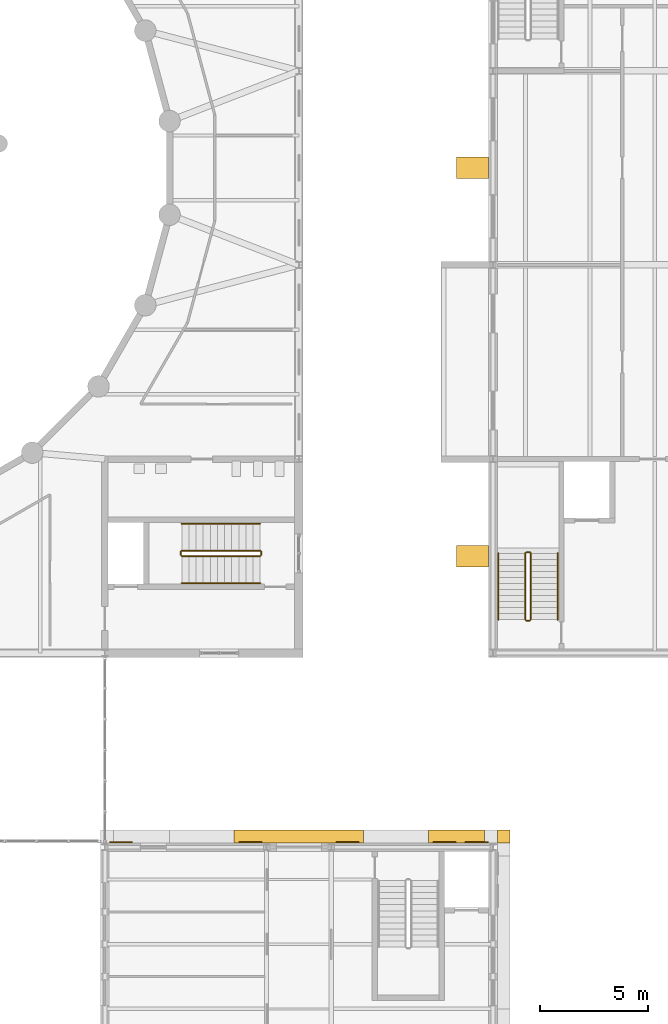
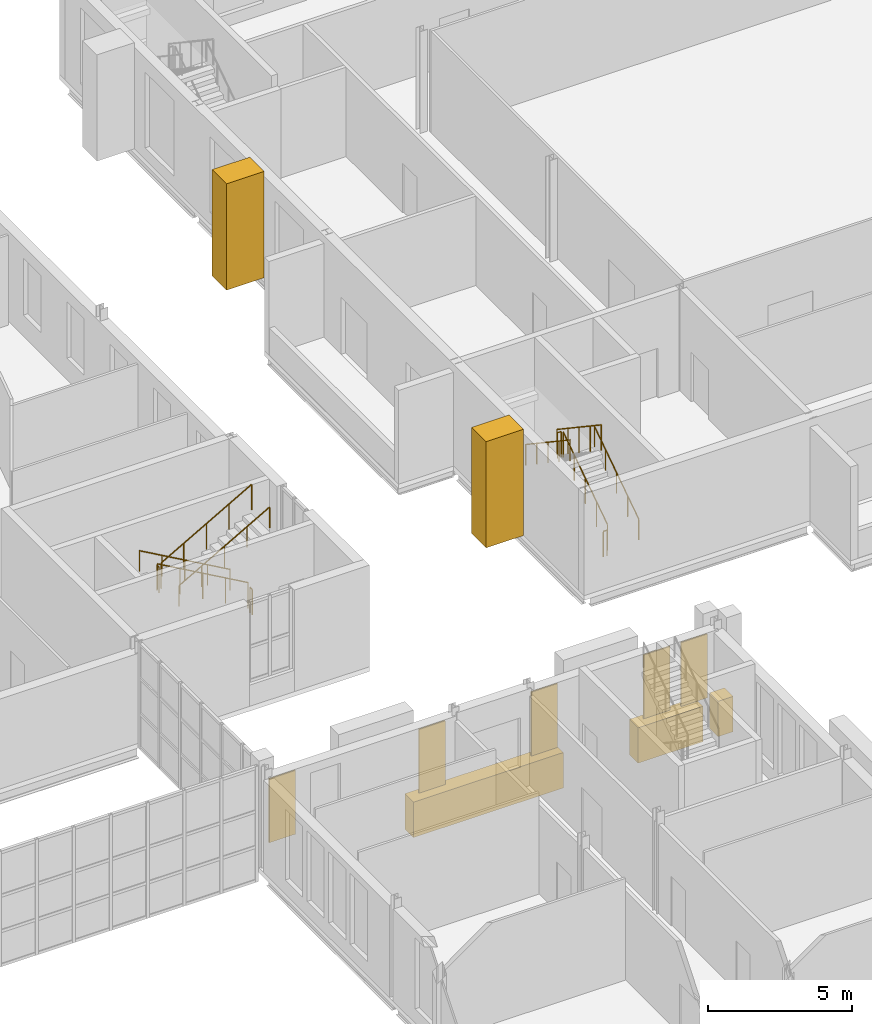
# One storey, part 122 of 134: 12 railings, 10 coverings.
"""IFC4 building model written with IfcOpenShell, lengths in metres."""

import ifcopenshell
import ifcopenshell.guid

model = None  # the IFC model being written
_history = None  # IfcOwnerHistory: only IFC2X3 demands one
_inside = {}  # id of a spatial element -> (the spatial element, [elements in it])
_under = {}  # id of a project, library or spatial element -> (it, [spatial elements below it])
_declared = {}  # id of a project -> (the project, [libraries it declares])
_typed = {}  # id of a type object -> (the type object, [elements of that type])
_made_of = {}  # id of a material, layer set ... -> (it, [elements and type objects made of it])


def new_model(schema):
    """Start an empty IFC model of exactly this schema.

    Asked for "IFC4X3", IfcOpenShell would pick the latest addendum, in which some entities
    have other attributes; the version numbers below select the first issue.
    IFC2X3 requires an IfcOwnerHistory on every rooted entity: one is made here for all.
    """
    global model, _history
    if schema == "IFC4X3":
        model = ifcopenshell.file(schema_version=(4, 3, 0, 0))
    else:
        model = ifcopenshell.file(schema=schema)
    _inside.clear()
    _under.clear()
    _declared.clear()
    _typed.clear()
    _made_of.clear()
    _history = None
    if model.schema == "IFC2X3":
        org = make("IfcOrganization", Name="unknown")
        user = make(
            "IfcPersonAndOrganization",
            ThePerson=make("IfcPerson", FamilyName="unknown"),
            TheOrganization=org,
        )
        app = make(
            "IfcApplication",
            ApplicationDeveloper=org,
            Version="unknown",
            ApplicationFullName="unknown",
            ApplicationIdentifier="unknown",
        )
        _history = make(
            "IfcOwnerHistory",
            OwningUser=user,
            OwningApplication=app,
            ChangeAction="ADDED",
            CreationDate=0,
        )
    return model


def make(cls, **values):
    """One entity of the class cls with the attributes given. An attribute that is None is left unset."""
    return model.create_entity(
        cls, **{name: value for name, value in values.items() if value is not None}
    )


def rooted(cls, **values):
    """An entity with a GlobalId (a new one), such as an element, a storey or a relation."""
    return make(cls, GlobalId=ifcopenshell.guid.new(), OwnerHistory=_history, **values)


def si_unit(unit_type, name, prefix=None):
    """IfcSIUnit, for example si_unit("LENGTHUNIT", "METRE", prefix="MILLI")."""
    return make("IfcSIUnit", UnitType=unit_type, Prefix=prefix, Name=name)


def assignment(units):
    """IfcUnitAssignment: the units of a project."""
    return None if units is None else make("IfcUnitAssignment", Units=units)


def point(xyz):
    """IfcCartesianPoint."""
    return None if xyz is None else make("IfcCartesianPoint", Coordinates=xyz)


def direction(xyz):
    """IfcDirection."""
    return None if xyz is None else make("IfcDirection", DirectionRatios=xyz)


def frame(location, z_axis=None, x_axis=None):
    """IfcAxis2Placement3D, a coordinate frame: its origin and axes. An axis left out is left unset."""
    return make(
        "IfcAxis2Placement3D",
        Location=point(location),
        Axis=direction(z_axis),
        RefDirection=direction(x_axis),
    )


def frame_2d(location, x_axis=None):
    """IfcAxis2Placement2D, a coordinate frame in the plane: its origin and x axis."""
    return make(
        "IfcAxis2Placement2D", Location=point(location), RefDirection=direction(x_axis)
    )


def origin():
    """The frame at (0, 0, 0) with its axes left unset."""
    return frame((0.0, 0.0, 0.0))


def origin_2d():
    """The frame at (0, 0) in the plane with its x axis left unset."""
    return frame_2d((0.0, 0.0))


def place(relative_to, where):
    """IfcLocalPlacement: puts the frame where relative to a parent placement (None: the world)."""
    return make(
        "IfcLocalPlacement", PlacementRelTo=relative_to, RelativePlacement=where
    )


def context(
    kind, dimensions, precision=None, world=None, true_north=None, identifier=None
):
    """IfcGeometricRepresentationContext, for example the 3D "Model" context."""
    return make(
        "IfcGeometricRepresentationContext",
        ContextIdentifier=identifier,
        ContextType=kind,
        CoordinateSpaceDimension=dimensions,
        Precision=precision,
        WorldCoordinateSystem=world,
        TrueNorth=true_north,
    )


def subcontext(parent, identifier, kind, view, scale=None):
    """IfcGeometricRepresentationSubContext, for example "Body" below "Model"."""
    return make(
        "IfcGeometricRepresentationSubContext",
        ContextIdentifier=identifier,
        ContextType=kind,
        ParentContext=parent,
        TargetScale=scale,
        TargetView=view,
    )


def project(units=None, contexts=None):
    """IfcProject with its units and contexts."""
    return rooted(
        "IfcProject",
        Name="project",
        RepresentationContexts=contexts,
        UnitsInContext=assignment(units),
    )


def spatial(cls, under=None, at=None, **own):
    """A site, building, storey or space (cls), placed at a placement, below another one or the project."""
    s = rooted(cls, ObjectPlacement=at, **own)
    if under is not None:
        _under.setdefault(under.id(), (under, []))[1].append(s)
    return s


def polyline(points):
    """IfcPolyline through the points."""
    return make("IfcPolyline", Points=[point(p) for p in points])


def profile(cls, at=None, kind="AREA", **sizes):
    """A parametric profile (cls). Its sizes go by their IFC names, for example OverallWidth=200.0."""
    return make(cls, ProfileType=kind, Position=at, **sizes)


def circle(**sizes):
    """IfcCircleProfileDef."""
    return profile("IfcCircleProfileDef", **sizes)


def outline(outer, holes=None, kind="AREA"):
    """IfcArbitraryClosedProfileDef: a profile drawn as a closed curve; with holes, ...WithVoids."""
    if holes is None:
        return make("IfcArbitraryClosedProfileDef", ProfileType=kind, OuterCurve=outer)
    return make(
        "IfcArbitraryProfileDefWithVoids",
        ProfileType=kind,
        OuterCurve=outer,
        InnerCurves=holes,
    )


def extrude(swept, where, along, depth):
    """IfcExtrudedAreaSolid: the profile swept, set in the frame where, extruded along a direction by depth."""
    return make(
        "IfcExtrudedAreaSolid",
        SweptArea=swept,
        Position=where,
        ExtrudedDirection=direction(along),
        Depth=depth,
    )


def shape(context_of_items, identifier, shape_type, items):
    """IfcShapeRepresentation: the items that make up one representation, for example the "Body"."""
    return make(
        "IfcShapeRepresentation",
        ContextOfItems=context_of_items,
        RepresentationIdentifier=identifier,
        RepresentationType=shape_type,
        Items=items,
    )


def material(Name=None, Category=None):
    """IfcMaterial."""
    return make("IfcMaterial", Name=Name, Category=Category)


def layer(
    of_material, thickness, ventilated=None, Name=None, Category=None, Priority=None
):
    """IfcMaterialLayer: one layer of a wall or slab, of a material (None: an air gap)."""
    return make(
        "IfcMaterialLayer",
        Material=of_material,
        LayerThickness=thickness,
        IsVentilated=ventilated,
        Name=Name,
        Category=Category,
        Priority=Priority,
    )


def layer_set(layers, Name=None):
    """IfcMaterialLayerSet."""
    return make("IfcMaterialLayerSet", MaterialLayers=layers, LayerSetName=Name)


def made_of(thing, what):
    """Note that an element or type object is made of a material, layer set ...; save() writes the relation."""
    if what is not None:
        _made_of.setdefault(what.id(), (what, []))[1].append(thing)
    return thing


def type_object(cls, material=None, **own):
    """A type object (cls), such as IfcWallType, which elements share."""
    return made_of(rooted(cls, **own), material)


def element(
    cls,
    number,
    at=None,
    inside=None,
    cuts=None,
    type_object=None,
    material=None,
    context=None,
    identifier="Body",
    shape_type=None,
    held_by="IfcProductDefinitionShape",
    body=None,
    shapes=None,
    **own,
):
    """One element of the class cls, such as IfcWall. Its Tag is "e" and its number.

    at: its placement. inside: the storey or other place that contains it. cuts: it is an
    opening in that element (IfcRelVoidsElement). A single representation is given by context,
    identifier, shape_type and body (its items); several are given by shapes. held_by: the class
    of the entity that holds the representations. save() writes the other relations.
    """
    e = rooted(cls, Tag="e%d" % number, ObjectPlacement=at, **own)
    if body is not None:
        shapes = [shape(context, identifier, shape_type, body)]
    if shapes is not None:
        e.Representation = make(held_by, Representations=shapes)
    if inside is not None:
        _inside.setdefault(inside.id(), (inside, []))[1].append(e)
    if cuts is not None:
        rooted(
            "IfcRelVoidsElement", RelatingBuildingElement=cuts, RelatedOpeningElement=e
        )
    if type_object is not None:
        _typed.setdefault(type_object.id(), (type_object, []))[1].append(e)
    return made_of(e, material)


def aggregate(whole, parts):
    """IfcRelAggregates: a whole, such as a stair, and the parts it consists of."""
    return rooted("IfcRelAggregates", RelatingObject=whole, RelatedObjects=parts)


def save(model, path):
    """Write the relations noted so far, then the file.

    IfcRelAggregates (storeys below a building ...), IfcRelContainedInSpatialStructure (elements
    in a storey), IfcRelDefinesByType, IfcRelAssociatesMaterial and IfcRelDeclares: one each for
    every whole, place, type object, material and project.
    """
    for whole, parts in _under.values():
        aggregate(whole, parts)
    for where, things in _inside.values():
        rooted(
            "IfcRelContainedInSpatialStructure",
            RelatedElements=things,
            RelatingStructure=where,
        )
    for kind, things in _typed.values():
        rooted("IfcRelDefinesByType", RelatedObjects=things, RelatingType=kind)
    for what, things in _made_of.values():
        rooted("IfcRelAssociatesMaterial", RelatedObjects=things, RelatingMaterial=what)
    for by, libraries in _declared.values():
        rooted("IfcRelDeclares", RelatingContext=by, RelatedDefinitions=libraries)
    model.write(path)


model = new_model("IFC4")

# Units and contexts
model_context = context("Model", 3, precision=1e-05, world=origin(), true_north=direction((0.0, 1.0)))
body_context = subcontext(model_context, "Body", "Model", "MODEL_VIEW")
ifc_project = project(units=[si_unit("LENGTHUNIT", "METRE"), si_unit("AREAUNIT", "SQUARE_METRE"), si_unit("VOLUMEUNIT", "CUBIC_METRE"), si_unit("PLANEANGLEUNIT", "RADIAN"), si_unit("MASSUNIT", "GRAM", prefix="KILO")], contexts=[model_context])

# Site, building, storey
site_placement = place(None, origin())
site = spatial("IfcSite", under=ifc_project, at=site_placement, CompositionType="ELEMENT")
building_placement = place(site_placement, origin())
building = spatial("IfcBuilding", under=site, at=building_placement, Name="Golden Quay Civic Hall", CompositionType="ELEMENT")
storey_placement = place(building_placement, frame((0.0, 0.0, 5.39990234375)))
storey = spatial("IfcBuildingStorey", under=building, at=storey_placement, Name="L01", CompositionType="ELEMENT", Elevation=5.39990234375)

# Coverings
ifc_material_1 = material(Name="Brick, dark clay facing", Category="masonry")
covering_type_1 = type_object("IfcCoveringType", Name="Brick pier cladding 1000 x 1500", PredefinedType="CLADDING", material=ifc_material_1)
covering_1_placement = place(storey_placement, origin())
element("IfcCovering", 1, at=covering_1_placement, inside=storey, type_object=covering_type_1, Name="Brick pier cladding 1000 x 1500 L01 9", PredefinedType="CLADDING", context=body_context, shape_type="SweptSolid", body=[
    extrude(outline(polyline([(116.800048828125, 67.0), (116.800048828125, 68.0), (115.300048828125, 68.0), (115.300048828125, 67.0), (116.800048828125, 67.0)])), origin(), (0.0, 0.0, 1.0), 4.5),
])
covering_2_placement = place(storey_placement, origin())
element("IfcCovering", 2, at=covering_2_placement, inside=storey, type_object=covering_type_1, Name="Brick pier cladding 1000 x 1500 L01 10", PredefinedType="CLADDING", context=body_context, shape_type="SweptSolid", body=[
    extrude(outline(polyline([(116.800048828125, 85.0), (116.800048828125, 86.0), (115.300048828125, 86.0), (115.300048828125, 85.0), (116.800048828125, 85.0)])), origin(), (0.0, 0.0, 1.0), 4.5),
])

# Railings
ifc_material_2 = material(Name="Steel S355", Category="steel")
railing_type_1 = type_object("IfcRailingType", Name="Steel guard 1100", PredefinedType="GUARDRAIL", material=ifc_material_2)
railing_1_placement = place(storey_placement, frame((106.199951171875, 67.75, 0.1875)))
element("IfcRailing", 3, at=railing_1_placement, inside=storey, type_object=railing_type_1, Name="L01 CB-SE stair guard 1", PredefinedType="GUARDRAIL", context=body_context, shape_type="SweptSolid", body=[
    extrude(circle(Radius=0.02392578125, at=origin_2d()), frame((0.0, 0.0, 1.076171875), z_axis=(-0.869449707104, 0.0, 0.494021463923), x_axis=(0.0, -1.0, 0.0)), (0.0, 0.0, 1.0), 4.1748046875),
    extrude(circle(Radius=0.02099609375, at=origin_2d()), origin(), (0.0, 0.0, 1.0), 1.052001953125),
    extrude(circle(Radius=0.02099609375, at=origin_2d()), frame((-0.907470703125, 0.0, 0.515625)), (0.0, 0.0, 1.0), 1.052001953125),
    extrude(circle(Radius=0.02099609375, at=origin_2d()), frame((-1.81494140625, 0.0, 1.03125)), (0.0, 0.0, 1.0), 1.052001953125),
    extrude(circle(Radius=0.02099609375, at=origin_2d()), frame((-2.722412109375, 0.0, 1.546875)), (0.0, 0.0, 1.0), 1.052001953125),
    extrude(circle(Radius=0.02099609375, at=origin_2d()), frame((-3.6298828125, 0.0, 2.0625)), (0.0, 0.0, 1.0), 1.052001953125),
])
railing_2_placement = place(storey_placement, frame((102.52001953125, 67.699951171875, 2.25)))
element("IfcRailing", 4, at=railing_2_placement, inside=storey, type_object=railing_type_1, Name="L01 CB-SE stair guard 2", PredefinedType="GUARDRAIL", context=body_context, shape_type="SweptSolid", body=[
    extrude(circle(Radius=0.02392578125, at=origin_2d()), frame((0.0, 0.0, 1.076171875), z_axis=(0.0, -1.0, 0.0), x_axis=(1.0, 0.0, 0.0)), (0.0, 0.0, 1.0), 0.14990234375),
    extrude(circle(Radius=0.02099609375, at=origin_2d()), origin(), (0.0, 0.0, 1.0), 1.052001953125),
    extrude(circle(Radius=0.02099609375, at=origin_2d()), frame((0.0, -0.14990234375, 0.0)), (0.0, 0.0, 1.0), 1.052001953125),
])
railing_3_placement = place(storey_placement, frame((102.570068359375, 67.5, 2.4375)))
element("IfcRailing", 5, at=railing_3_placement, inside=storey, type_object=railing_type_1, Name="L01 CB-SE stair guard 3", PredefinedType="GUARDRAIL", context=body_context, shape_type="SweptSolid", body=[
    extrude(circle(Radius=0.02392578125, at=origin_2d()), frame((0.0, 0.0, 1.076171875), z_axis=(0.869449707104, 0.0, 0.494021463923), x_axis=(0.0, 1.0, 0.0)), (0.0, 0.0, 1.0), 4.1748046875),
    extrude(circle(Radius=0.02099609375, at=origin_2d()), origin(), (0.0, 0.0, 1.0), 1.052001953125),
    extrude(circle(Radius=0.02099609375, at=origin_2d()), frame((0.907470703125, 0.0, 0.515625)), (0.0, 0.0, 1.0), 1.052001953125),
    extrude(circle(Radius=0.02099609375, at=origin_2d()), frame((1.81494140625, 0.0, 1.03125)), (0.0, 0.0, 1.0), 1.052001953125),
    extrude(circle(Radius=0.02099609375, at=origin_2d()), frame((2.722412109375, 0.0, 1.546875)), (0.0, 0.0, 1.0), 1.052001953125),
    extrude(circle(Radius=0.02099609375, at=origin_2d()), frame((3.6298828125, 0.0, 2.0625)), (0.0, 0.0, 1.0), 1.052001953125),
])
railing_4_placement = place(storey_placement, frame((106.25, 67.699951171875, 0.0)))
element("IfcRailing", 6, at=railing_4_placement, inside=storey, type_object=railing_type_1, Name="L01 CB-SE stair guard 4", PredefinedType="GUARDRAIL", context=body_context, shape_type="SweptSolid", body=[
    extrude(circle(Radius=0.02392578125, at=origin_2d()), frame((0.0, 0.0, 1.076171875), z_axis=(0.0, -1.0, 0.0), x_axis=(1.0, 0.0, 0.0)), (0.0, 0.0, 1.0), 0.14990234375),
    extrude(circle(Radius=0.02099609375, at=origin_2d()), origin(), (0.0, 0.0, 1.0), 1.052001953125),
    extrude(circle(Radius=0.02099609375, at=origin_2d()), frame((0.0, -0.14990234375, 0.0)), (0.0, 0.0, 1.0), 1.052001953125),
])
railing_5_placement = place(storey_placement, frame((118.75, 64.550048828125, 0.1875)))
element("IfcRailing", 7, at=railing_5_placement, inside=storey, type_object=railing_type_1, Name="L01 LB-STW stair guard 1", PredefinedType="GUARDRAIL", context=body_context, shape_type="SweptSolid", body=[
    extrude(circle(Radius=0.02392578125, at=origin_2d()), frame((0.0, 0.0, 1.076171875), z_axis=(0.0, 0.830893310487, 0.556431762742), x_axis=(-1.0, 0.0, 0.0)), (0.0, 0.0, 1.0), 3.70654296875),
    extrude(circle(Radius=0.02099609375, at=origin_2d()), origin(), (0.0, 0.0, 1.0), 1.052001953125),
    extrude(circle(Radius=0.02099609375, at=origin_2d()), frame((0.0, 0.77001953125, 0.515625)), (0.0, 0.0, 1.0), 1.052001953125),
    extrude(circle(Radius=0.02099609375, at=origin_2d()), frame((0.0, 1.5400390625, 1.03125)), (0.0, 0.0, 1.0), 1.052001953125),
    extrude(circle(Radius=0.02099609375, at=origin_2d()), frame((0.0, 2.309814453125, 1.546875)), (0.0, 0.0, 1.0), 1.052001953125),
    extrude(circle(Radius=0.02099609375, at=origin_2d()), frame((0.0, 3.079833984375, 2.0625)), (0.0, 0.0, 1.0), 1.052001953125),
])
railing_6_placement = place(storey_placement, frame((118.699951171875, 67.679931640625, 2.25)))
element("IfcRailing", 8, at=railing_6_placement, inside=storey, type_object=railing_type_1, Name="L01 LB-STW stair guard 2", PredefinedType="GUARDRAIL", context=body_context, shape_type="SweptSolid", body=[
    extrude(circle(Radius=0.02392578125, at=origin_2d()), frame((0.0, 0.0, 1.076171875), z_axis=(-1.0, 0.0, 0.0), x_axis=(0.0, -1.0, 0.0)), (0.0, 0.0, 1.0), 0.14990234375),
    extrude(circle(Radius=0.02099609375, at=origin_2d()), origin(), (0.0, 0.0, 1.0), 1.052001953125),
    extrude(circle(Radius=0.02099609375, at=origin_2d()), frame((-0.14990234375, 0.0, 0.0)), (0.0, 0.0, 1.0), 1.052001953125),
])
railing_7_placement = place(storey_placement, frame((118.5, 67.6298828125, 2.4375)))
element("IfcRailing", 9, at=railing_7_placement, inside=storey, type_object=railing_type_1, Name="L01 LB-STW stair guard 3", PredefinedType="GUARDRAIL", context=body_context, shape_type="SweptSolid", body=[
    extrude(circle(Radius=0.02392578125, at=origin_2d()), frame((0.0, 0.0, 1.076171875), z_axis=(0.0, -0.830893310487, 0.556431762742), x_axis=(1.0, 0.0, 0.0)), (0.0, 0.0, 1.0), 3.70654296875),
    extrude(circle(Radius=0.02099609375, at=origin_2d()), origin(), (0.0, 0.0, 1.0), 1.052001953125),
    extrude(circle(Radius=0.02099609375, at=origin_2d()), frame((0.0, -0.77001953125, 0.515625)), (0.0, 0.0, 1.0), 1.052001953125),
    extrude(circle(Radius=0.02099609375, at=origin_2d()), frame((0.0, -1.5400390625, 1.03125)), (0.0, 0.0, 1.0), 1.052001953125),
    extrude(circle(Radius=0.02099609375, at=origin_2d()), frame((0.0, -2.309814453125, 1.546875)), (0.0, 0.0, 1.0), 1.052001953125),
    extrude(circle(Radius=0.02099609375, at=origin_2d()), frame((0.0, -3.079833984375, 2.0625)), (0.0, 0.0, 1.0), 1.052001953125),
])
railing_8_placement = place(storey_placement, frame((118.699951171875, 64.5, 0.0)))
element("IfcRailing", 10, at=railing_8_placement, inside=storey, type_object=railing_type_1, Name="L01 LB-STW stair guard 4", PredefinedType="GUARDRAIL", context=body_context, shape_type="SweptSolid", body=[
    extrude(circle(Radius=0.02392578125, at=origin_2d()), frame((0.0, 0.0, 1.076171875), z_axis=(-1.0, 0.0, 0.0), x_axis=(0.0, -1.0, 0.0)), (0.0, 0.0, 1.0), 0.14990234375),
    extrude(circle(Radius=0.02099609375, at=origin_2d()), origin(), (0.0, 0.0, 1.0), 1.052001953125),
    extrude(circle(Radius=0.02099609375, at=origin_2d()), frame((-0.14990234375, 0.0, 0.0)), (0.0, 0.0, 1.0), 1.052001953125),
])
ifc_material_3 = material(Name="Steel S355", Category="steel")
railing_type_2 = type_object("IfcRailingType", Name="Steel handrail 900", PredefinedType="HANDRAIL", material=ifc_material_3)
railing_9_placement = place(storey_placement, frame((106.199951171875, 69.0, 0.1875)))
element("IfcRailing", 11, at=railing_9_placement, inside=storey, type_object=railing_type_2, Name="L01 CB-SE stair handrail 1", PredefinedType="HANDRAIL", context=body_context, shape_type="SweptSolid", body=[
    extrude(circle(Radius=0.02392578125, at=origin_2d()), frame((0.0, 0.0, 0.8759765625), z_axis=(-0.869449707104, 0.0, 0.494021463923), x_axis=(0.0, -1.0, 0.0)), (0.0, 0.0, 1.0), 4.1748046875),
    extrude(circle(Radius=0.02099609375, at=origin_2d()), origin(), (0.0, 0.0, 1.0), 0.851806640625),
    extrude(circle(Radius=0.02099609375, at=origin_2d()), frame((-0.907470703125, 0.0, 0.515625)), (0.0, 0.0, 1.0), 0.851806640625),
    extrude(circle(Radius=0.02099609375, at=origin_2d()), frame((-1.81494140625, 0.0, 1.03125)), (0.0, 0.0, 1.0), 0.851806640625),
    extrude(circle(Radius=0.02099609375, at=origin_2d()), frame((-2.722412109375, 0.0, 1.546875)), (0.0, 0.0, 1.0), 0.851806640625),
    extrude(circle(Radius=0.02099609375, at=origin_2d()), frame((-3.6298828125, 0.0, 2.0625)), (0.0, 0.0, 1.0), 0.851806640625),
])
railing_10_placement = place(storey_placement, frame((102.570068359375, 66.25, 2.4375)))
element("IfcRailing", 12, at=railing_10_placement, inside=storey, type_object=railing_type_2, Name="L01 CB-SE stair handrail 2", PredefinedType="HANDRAIL", context=body_context, shape_type="SweptSolid", body=[
    extrude(circle(Radius=0.02392578125, at=origin_2d()), frame((0.0, 0.0, 0.8759765625), z_axis=(0.869449707104, 0.0, 0.494021463923), x_axis=(0.0, 1.0, 0.0)), (0.0, 0.0, 1.0), 4.1748046875),
    extrude(circle(Radius=0.02099609375, at=origin_2d()), origin(), (0.0, 0.0, 1.0), 0.851806640625),
    extrude(circle(Radius=0.02099609375, at=origin_2d()), frame((0.907470703125, 0.0, 0.515625)), (0.0, 0.0, 1.0), 0.851806640625),
    extrude(circle(Radius=0.02099609375, at=origin_2d()), frame((1.81494140625, 0.0, 1.03125)), (0.0, 0.0, 1.0), 0.851806640625),
    extrude(circle(Radius=0.02099609375, at=origin_2d()), frame((2.722412109375, 0.0, 1.546875)), (0.0, 0.0, 1.0), 0.851806640625),
    extrude(circle(Radius=0.02099609375, at=origin_2d()), frame((3.6298828125, 0.0, 2.0625)), (0.0, 0.0, 1.0), 0.851806640625),
])
railing_11_placement = place(storey_placement, frame((120.0, 64.550048828125, 0.1875)))
element("IfcRailing", 13, at=railing_11_placement, inside=storey, type_object=railing_type_2, Name="L01 LB-STW stair handrail 1", PredefinedType="HANDRAIL", context=body_context, shape_type="SweptSolid", body=[
    extrude(circle(Radius=0.02392578125, at=origin_2d()), frame((0.0, 0.0, 0.8759765625), z_axis=(0.0, 0.830893310487, 0.556431762742), x_axis=(-1.0, 0.0, 0.0)), (0.0, 0.0, 1.0), 3.70654296875),
    extrude(circle(Radius=0.02099609375, at=origin_2d()), origin(), (0.0, 0.0, 1.0), 0.851806640625),
    extrude(circle(Radius=0.02099609375, at=origin_2d()), frame((0.0, 0.77001953125, 0.515625)), (0.0, 0.0, 1.0), 0.851806640625),
    extrude(circle(Radius=0.02099609375, at=origin_2d()), frame((0.0, 1.5400390625, 1.03125)), (0.0, 0.0, 1.0), 0.851806640625),
    extrude(circle(Radius=0.02099609375, at=origin_2d()), frame((0.0, 2.309814453125, 1.546875)), (0.0, 0.0, 1.0), 0.851806640625),
    extrude(circle(Radius=0.02099609375, at=origin_2d()), frame((0.0, 3.079833984375, 2.0625)), (0.0, 0.0, 1.0), 0.851806640625),
])
railing_12_placement = place(storey_placement, frame((117.25, 67.6298828125, 2.4375)))
element("IfcRailing", 14, at=railing_12_placement, inside=storey, type_object=railing_type_2, Name="L01 LB-STW stair handrail 2", PredefinedType="HANDRAIL", context=body_context, shape_type="SweptSolid", body=[
    extrude(circle(Radius=0.02392578125, at=origin_2d()), frame((0.0, 0.0, 0.8759765625), z_axis=(0.0, -0.830893310487, 0.556431762742), x_axis=(1.0, 0.0, 0.0)), (0.0, 0.0, 1.0), 3.70654296875),
    extrude(circle(Radius=0.02099609375, at=origin_2d()), origin(), (0.0, 0.0, 1.0), 0.851806640625),
    extrude(circle(Radius=0.02099609375, at=origin_2d()), frame((0.0, -0.77001953125, 0.515625)), (0.0, 0.0, 1.0), 0.851806640625),
    extrude(circle(Radius=0.02099609375, at=origin_2d()), frame((0.0, -1.5400390625, 1.03125)), (0.0, 0.0, 1.0), 0.851806640625),
    extrude(circle(Radius=0.02099609375, at=origin_2d()), frame((0.0, -2.309814453125, 1.546875)), (0.0, 0.0, 1.0), 0.851806640625),
    extrude(circle(Radius=0.02099609375, at=origin_2d()), frame((0.0, -3.079833984375, 2.0625)), (0.0, 0.0, 1.0), 0.851806640625),
])

# Coverings
ifc_material_4 = material(Name="Terracotta cladding, golden glaze", Category="masonry")
ifc_layer = layer(ifc_material_4, 0.050048828125)
ifc_layer_set = layer_set([ifc_layer], Name="Terracotta solid panel 1050 x 2700 x 50")
covering_type_2 = type_object("IfcCoveringType", Name="Terracotta solid panel 1050 x 2700 x 50", PredefinedType="CLADDING", material=ifc_layer_set)
covering_3_placement = place(storey_placement, frame((0.0, 0.0, 0.900146484375)))
element("IfcCovering", 15, at=covering_3_placement, inside=storey, type_object=covering_type_2, Name="Terracotta solid panel 1050 x 2700 x 50 L01 26", PredefinedType="CLADDING", context=body_context, shape_type="SweptSolid", body=[
    extrude(outline(polyline([(99.22509765625, 54.199951171875), (100.27490234375, 54.199951171875), (100.27490234375, 54.25), (99.22509765625, 54.25), (99.22509765625, 54.199951171875)])), origin(), (0.0, 0.0, 1.0), 2.699951171875),
])
covering_4_placement = place(storey_placement, frame((0.0, 0.0, 0.900146484375)))
element("IfcCovering", 16, at=covering_4_placement, inside=storey, type_object=covering_type_2, Name="Terracotta solid panel 1050 x 2700 x 50 L01 27", PredefinedType="CLADDING", context=body_context, shape_type="SweptSolid", body=[
    extrude(outline(polyline([(105.22509765625, 54.199951171875), (106.27490234375, 54.199951171875), (106.27490234375, 54.25), (105.22509765625, 54.25), (105.22509765625, 54.199951171875)])), origin(), (0.0, 0.0, 1.0), 2.699951171875),
])
covering_5_placement = place(storey_placement, frame((0.0, 0.0, 0.900146484375)))
element("IfcCovering", 17, at=covering_5_placement, inside=storey, type_object=covering_type_2, Name="Terracotta solid panel 1050 x 2700 x 50 L01 28", PredefinedType="CLADDING", context=body_context, shape_type="SweptSolid", body=[
    extrude(outline(polyline([(109.72509765625, 54.199951171875), (110.77490234375, 54.199951171875), (110.77490234375, 54.25), (109.72509765625, 54.25), (109.72509765625, 54.199951171875)])), origin(), (0.0, 0.0, 1.0), 2.699951171875),
])
covering_6_placement = place(storey_placement, frame((0.0, 0.0, 0.900146484375)))
element("IfcCovering", 18, at=covering_6_placement, inside=storey, type_object=covering_type_2, Name="Terracotta solid panel 1050 x 2700 x 50 L01 29", PredefinedType="CLADDING", context=body_context, shape_type="SweptSolid", body=[
    extrude(outline(polyline([(114.22509765625, 54.199951171875), (115.27490234375, 54.199951171875), (115.27490234375, 54.25), (114.22509765625, 54.25), (114.22509765625, 54.199951171875)])), origin(), (0.0, 0.0, 1.0), 2.699951171875),
])
covering_7_placement = place(storey_placement, frame((0.0, 0.0, 0.900146484375)))
element("IfcCovering", 19, at=covering_7_placement, inside=storey, type_object=covering_type_2, Name="Terracotta solid panel 1050 x 2700 x 50 L01 30", PredefinedType="CLADDING", context=body_context, shape_type="SweptSolid", body=[
    extrude(outline(polyline([(115.72509765625, 54.199951171875), (116.77490234375, 54.199951171875), (116.77490234375, 54.25), (115.72509765625, 54.25), (115.72509765625, 54.199951171875)])), origin(), (0.0, 0.0, 1.0), 2.699951171875),
])
ifc_material_5 = material(Name="Terracotta cladding, golden glaze", Category="masonry")
covering_type_3 = type_object("IfcCoveringType", Name="Terracotta spandrel fascia 600 x 1500", PredefinedType="CLADDING", material=ifc_material_5)
covering_8_placement = place(storey_placement, frame((0.0, 0.0, -0.89990234375)))
element("IfcCovering", 20, at=covering_8_placement, inside=storey, type_object=covering_type_3, Name="Terracotta spandrel fascia 600 x 1500 L01 12", PredefinedType="CLADDING", context=body_context, shape_type="SweptSolid", body=[
    extrude(outline(polyline([(114.0, 54.800048828125), (116.60009765625, 54.800048828125), (116.60009765625, 54.199951171875), (114.0, 54.199951171875), (114.0, 54.800048828125)])), origin(), (0.0, 0.0, 1.0), 1.5),
])
covering_9_placement = place(storey_placement, frame((0.0, 0.0, -0.89990234375)))
element("IfcCovering", 21, at=covering_9_placement, inside=storey, type_object=covering_type_3, Name="Terracotta spandrel fascia 600 x 1500 L01 13", PredefinedType="CLADDING", context=body_context, shape_type="SweptSolid", body=[
    extrude(outline(polyline([(117.800048828125, 54.199951171875), (117.199951171875, 54.199951171875), (117.199951171875, 54.800048828125), (117.800048828125, 54.800048828125), (117.800048828125, 54.199951171875)])), origin(), (0.0, 0.0, 1.0), 1.5),
])
covering_10_placement = place(storey_placement, frame((0.0, 0.0, -0.89990234375)))
element("IfcCovering", 22, at=covering_10_placement, inside=storey, type_object=covering_type_3, Name="Terracotta spandrel fascia 600 x 1500 L01 15", PredefinedType="CLADDING", context=body_context, shape_type="SweptSolid", body=[
    extrude(outline(polyline([(111.0, 54.800048828125), (111.0, 54.199951171875), (105.0, 54.199951171875), (105.0, 54.800048828125), (111.0, 54.800048828125)])), origin(), (0.0, 0.0, 1.0), 1.5),
])

save(model, "model.ifc")
